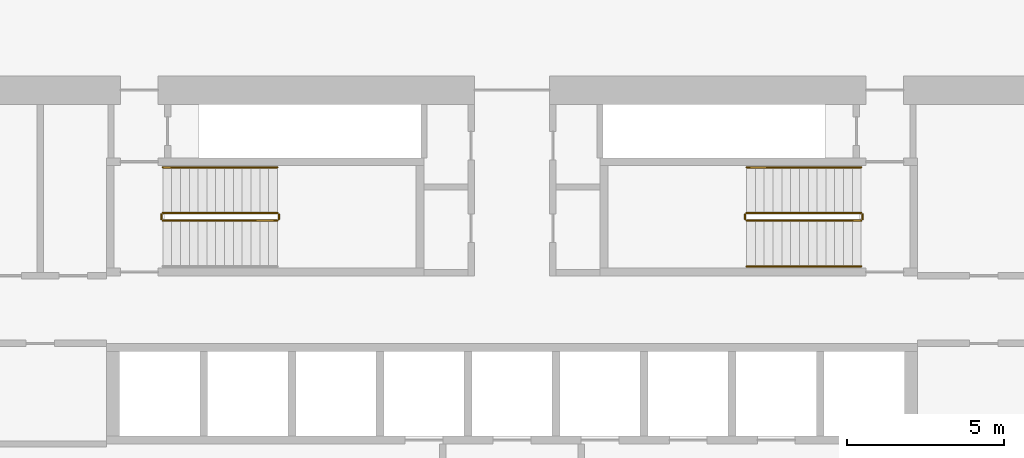
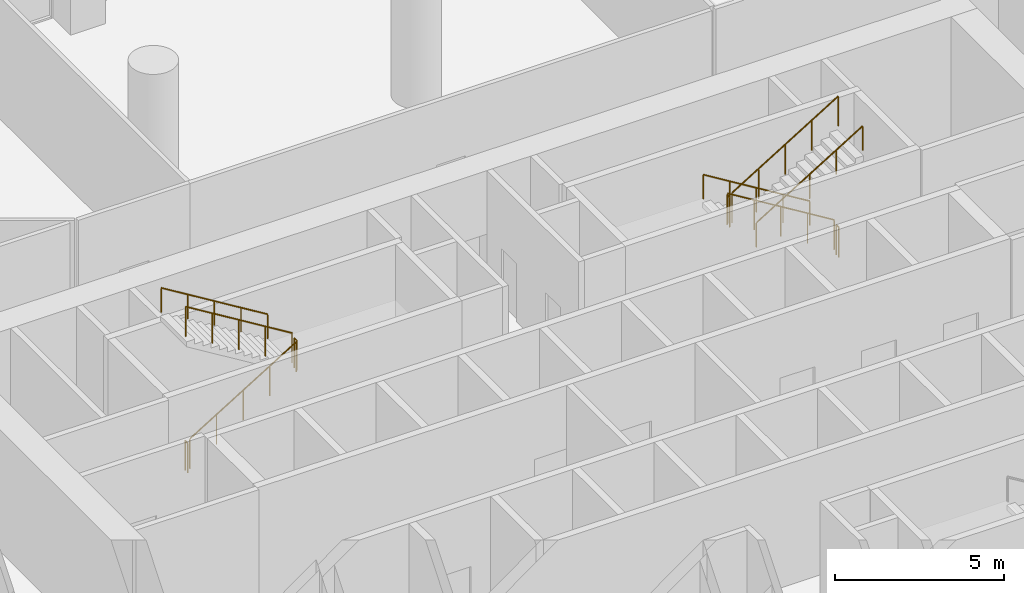
# One storey, part 19 of 21: 11 railings.
"""IFC4 building model written with IfcOpenShell, lengths in metres."""

from ifc_helpers import new_model, si_unit, direction, frame, origin, origin_2d, place, context, subcontext, project, spatial, circle, extrude, material, type_object, element, save


model = new_model("IFC4")

# Units and contexts
model_context = context("Model", 3, precision=1e-05, world=origin(), true_north=direction((0.0, 1.0)))
body_context = subcontext(model_context, "Body", "Model", "MODEL_VIEW")
ifc_project = project(units=[si_unit("LENGTHUNIT", "METRE"), si_unit("AREAUNIT", "SQUARE_METRE"), si_unit("VOLUMEUNIT", "CUBIC_METRE"), si_unit("PLANEANGLEUNIT", "RADIAN"), si_unit("MASSUNIT", "GRAM", prefix="KILO")], contexts=[model_context])

# Site, building, storey
site_placement = place(None, origin())
site = spatial("IfcSite", under=ifc_project, at=site_placement, CompositionType="ELEMENT")
building_placement = place(site_placement, origin())
building = spatial("IfcBuilding", under=site, at=building_placement, Name="Dhurran Vertical Campus", CompositionType="ELEMENT")
storey_placement = place(building_placement, frame((0.0, 0.0, 20.39990234375)))
storey = spatial("IfcBuildingStorey", under=building, at=storey_placement, Name="L04", CompositionType="ELEMENT", Elevation=20.39990234375)

# Railings
ifc_material_1 = material(Name="Stainless steel balustrade", Category="steel")
railing_type_1 = type_object("IfcRailingType", Name="co-RL-GUARD-1100", PredefinedType="GUARDRAIL", material=ifc_material_1)
railing_1_placement = place(storey_placement, frame((-11.10009765625, 8.89990234375, 0.171630859375)))
element("IfcRailing", 1, at=railing_1_placement, inside=storey, type_object=railing_type_1, Name="L04 ST1 stair guard 1", PredefinedType="GUARDRAIL", context=body_context, shape_type="SweptSolid", body=[
    extrude(circle(Radius=0.02392578125, at=origin_2d()), frame((0.0, 0.0, 1.076171875), z_axis=(0.852865859571, 0.0, 0.52213008492), x_axis=(0.0, 1.0, 0.0)), (0.0, 0.0, 1.0), 4.26806640625),
    extrude(circle(Radius=0.02099609375, at=origin_2d()), origin(), (0.0, 0.0, 1.0), 1.052001953125),
    extrude(circle(Radius=0.02099609375, at=origin_2d()), frame((0.91015625, 0.0, 0.55712890625)), (0.0, 0.0, 1.0), 1.052001953125),
    extrude(circle(Radius=0.02099609375, at=origin_2d()), frame((1.820068359375, 0.0, 1.1142578125)), (0.0, 0.0, 1.0), 1.052001953125),
    extrude(circle(Radius=0.02099609375, at=origin_2d()), frame((2.72998046875, 0.0, 1.67138671875)), (0.0, 0.0, 1.0), 1.052001953125),
    extrude(circle(Radius=0.02099609375, at=origin_2d()), frame((3.64013671875, 0.0, 2.228515625)), (0.0, 0.0, 1.0), 1.052001953125),
])
railing_2_placement = place(storey_placement, frame((-7.409912109375, 8.949951171875, 2.400146484375)))
element("IfcRailing", 2, at=railing_2_placement, inside=storey, type_object=railing_type_1, Name="L04 ST1 stair guard 2", PredefinedType="GUARDRAIL", context=body_context, shape_type="SweptSolid", body=[
    extrude(circle(Radius=0.02392578125, at=origin_2d()), frame((0.0, 0.0, 1.076171875), z_axis=(0.0, 1.0, 0.0), x_axis=(-1.0, 0.0, 0.0)), (0.0, 0.0, 1.0), 0.150146484375),
    extrude(circle(Radius=0.02099609375, at=origin_2d()), origin(), (0.0, 0.0, 1.0), 1.052001953125),
    extrude(circle(Radius=0.02099609375, at=origin_2d()), frame((0.0, 0.150146484375, 0.0)), (0.0, 0.0, 1.0), 1.052001953125),
])
railing_3_placement = place(storey_placement, frame((-7.4599609375, 9.14990234375, 2.571533203125)))
element("IfcRailing", 3, at=railing_3_placement, inside=storey, type_object=railing_type_1, Name="L04 ST1 stair guard 3", PredefinedType="GUARDRAIL", context=body_context, shape_type="SweptSolid", body=[
    extrude(circle(Radius=0.02392578125, at=origin_2d()), frame((0.0, 0.0, 1.076171875), z_axis=(-0.852865859571, 0.0, 0.52213008492), x_axis=(0.0, -1.0, 0.0)), (0.0, 0.0, 1.0), 4.26806640625),
    extrude(circle(Radius=0.02099609375, at=origin_2d()), origin(), (0.0, 0.0, 1.0), 1.052001953125),
    extrude(circle(Radius=0.02099609375, at=origin_2d()), frame((-0.91015625, 0.0, 0.55712890625)), (0.0, 0.0, 1.0), 1.052001953125),
    extrude(circle(Radius=0.02099609375, at=origin_2d()), frame((-1.820068359375, 0.0, 1.1142578125)), (0.0, 0.0, 1.0), 1.052001953125),
    extrude(circle(Radius=0.02099609375, at=origin_2d()), frame((-2.72998046875, 0.0, 1.67138671875)), (0.0, 0.0, 1.0), 1.052001953125),
    extrude(circle(Radius=0.02099609375, at=origin_2d()), frame((-3.64013671875, 0.0, 2.228515625)), (0.0, 0.0, 1.0), 1.052001953125),
])
railing_4_placement = place(storey_placement, frame((-11.14990234375, 8.949951171875, 0.0)))
element("IfcRailing", 4, at=railing_4_placement, inside=storey, type_object=railing_type_1, Name="L04 ST1 stair guard 4", PredefinedType="GUARDRAIL", context=body_context, shape_type="SweptSolid", body=[
    extrude(circle(Radius=0.02392578125, at=origin_2d()), frame((0.0, 0.0, 1.076171875), z_axis=(0.0, 1.0, 0.0), x_axis=(-1.0, 0.0, 0.0)), (0.0, 0.0, 1.0), 0.150146484375),
    extrude(circle(Radius=0.02099609375, at=origin_2d()), origin(), (0.0, 0.0, 1.0), 1.052001953125),
    extrude(circle(Radius=0.02099609375, at=origin_2d()), frame((0.0, 0.150146484375, 0.0)), (0.0, 0.0, 1.0), 1.052001953125),
])
railing_5_placement = place(storey_placement, frame((11.10009765625, 9.14990234375, 0.171630859375)))
element("IfcRailing", 5, at=railing_5_placement, inside=storey, type_object=railing_type_1, Name="L04 ST2 stair guard 1", PredefinedType="GUARDRAIL", context=body_context, shape_type="SweptSolid", body=[
    extrude(circle(Radius=0.02392578125, at=origin_2d()), frame((0.0, 0.0, 1.076171875), z_axis=(-0.852865859571, 0.0, 0.52213008492), x_axis=(0.0, -1.0, 0.0)), (0.0, 0.0, 1.0), 4.26806640625),
    extrude(circle(Radius=0.02099609375, at=origin_2d()), origin(), (0.0, 0.0, 1.0), 1.052001953125),
    extrude(circle(Radius=0.02099609375, at=origin_2d()), frame((-0.91015625, 0.0, 0.55712890625)), (0.0, 0.0, 1.0), 1.052001953125),
    extrude(circle(Radius=0.02099609375, at=origin_2d()), frame((-1.820068359375, 0.0, 1.1142578125)), (0.0, 0.0, 1.0), 1.052001953125),
    extrude(circle(Radius=0.02099609375, at=origin_2d()), frame((-2.72998046875, 0.0, 1.67138671875)), (0.0, 0.0, 1.0), 1.052001953125),
    extrude(circle(Radius=0.02099609375, at=origin_2d()), frame((-3.64013671875, 0.0, 2.228515625)), (0.0, 0.0, 1.0), 1.052001953125),
])
railing_6_placement = place(storey_placement, frame((7.409912109375, 9.10009765625, 2.400146484375)))
element("IfcRailing", 6, at=railing_6_placement, inside=storey, type_object=railing_type_1, Name="L04 ST2 stair guard 2", PredefinedType="GUARDRAIL", context=body_context, shape_type="SweptSolid", body=[
    extrude(circle(Radius=0.02392578125, at=origin_2d()), frame((0.0, 0.0, 1.076171875), z_axis=(0.0, -1.0, 0.0), x_axis=(1.0, 0.0, 0.0)), (0.0, 0.0, 1.0), 0.150146484375),
    extrude(circle(Radius=0.02099609375, at=origin_2d()), origin(), (0.0, 0.0, 1.0), 1.052001953125),
    extrude(circle(Radius=0.02099609375, at=origin_2d()), frame((0.0, -0.150146484375, 0.0)), (0.0, 0.0, 1.0), 1.052001953125),
])
railing_7_placement = place(storey_placement, frame((7.4599609375, 8.89990234375, 2.571533203125)))
element("IfcRailing", 7, at=railing_7_placement, inside=storey, type_object=railing_type_1, Name="L04 ST2 stair guard 3", PredefinedType="GUARDRAIL", context=body_context, shape_type="SweptSolid", body=[
    extrude(circle(Radius=0.02392578125, at=origin_2d()), frame((0.0, 0.0, 1.076171875), z_axis=(0.852865859571, 0.0, 0.52213008492), x_axis=(0.0, 1.0, 0.0)), (0.0, 0.0, 1.0), 4.26806640625),
    extrude(circle(Radius=0.02099609375, at=origin_2d()), origin(), (0.0, 0.0, 1.0), 1.052001953125),
    extrude(circle(Radius=0.02099609375, at=origin_2d()), frame((0.91015625, 0.0, 0.55712890625)), (0.0, 0.0, 1.0), 1.052001953125),
    extrude(circle(Radius=0.02099609375, at=origin_2d()), frame((1.820068359375, 0.0, 1.1142578125)), (0.0, 0.0, 1.0), 1.052001953125),
    extrude(circle(Radius=0.02099609375, at=origin_2d()), frame((2.72998046875, 0.0, 1.67138671875)), (0.0, 0.0, 1.0), 1.052001953125),
    extrude(circle(Radius=0.02099609375, at=origin_2d()), frame((3.64013671875, 0.0, 2.228515625)), (0.0, 0.0, 1.0), 1.052001953125),
])
railing_8_placement = place(storey_placement, frame((11.14990234375, 9.10009765625, 0.0)))
element("IfcRailing", 8, at=railing_8_placement, inside=storey, type_object=railing_type_1, Name="L04 ST2 stair guard 4", PredefinedType="GUARDRAIL", context=body_context, shape_type="SweptSolid", body=[
    extrude(circle(Radius=0.02392578125, at=origin_2d()), frame((0.0, 0.0, 1.076171875), z_axis=(0.0, -1.0, 0.0), x_axis=(1.0, 0.0, 0.0)), (0.0, 0.0, 1.0), 0.150146484375),
    extrude(circle(Radius=0.02099609375, at=origin_2d()), origin(), (0.0, 0.0, 1.0), 1.052001953125),
    extrude(circle(Radius=0.02099609375, at=origin_2d()), frame((0.0, -0.150146484375, 0.0)), (0.0, 0.0, 1.0), 1.052001953125),
])
ifc_material_2 = material(Name="Stainless steel handrail", Category="steel")
railing_type_2 = type_object("IfcRailingType", Name="co-RL-HANDRAIL-900", PredefinedType="HANDRAIL", material=ifc_material_2)
for number, where, name in (
    (9, (-7.4599609375, 10.60009765625, 2.571533203125), "L04 ST1 stair handrail 2"),
    (10, (11.10009765625, 10.60009765625, 0.171630859375), "L04 ST2 stair handrail 1"),
):
    element("IfcRailing", number, at=place(storey_placement, frame(where)), inside=storey, type_object=railing_type_2, Name=name, PredefinedType="HANDRAIL", context=body_context, shape_type="SweptSolid", body=[
        extrude(circle(Radius=0.02392578125, at=origin_2d()), frame((0.0, 0.0, 0.8759765625), z_axis=(-0.852865859571, 0.0, 0.52213008492), x_axis=(0.0, -1.0, 0.0)), (0.0, 0.0, 1.0), 4.26806640625),
        extrude(circle(Radius=0.02099609375, at=origin_2d()), origin(), (0.0, 0.0, 1.0), 0.851806640625),
        extrude(circle(Radius=0.02099609375, at=origin_2d()), frame((-0.91015625, 0.0, 0.55712890625)), (0.0, 0.0, 1.0), 0.851806640625),
        extrude(circle(Radius=0.02099609375, at=origin_2d()), frame((-1.820068359375, 0.0, 1.1142578125)), (0.0, 0.0, 1.0), 0.851806640625),
        extrude(circle(Radius=0.02099609375, at=origin_2d()), frame((-2.72998046875, 0.0, 1.67138671875)), (0.0, 0.0, 1.0), 0.851806640625),
        extrude(circle(Radius=0.02099609375, at=origin_2d()), frame((-3.64013671875, 0.0, 2.228515625)), (0.0, 0.0, 1.0), 0.851806640625),
    ])
railing_9_placement = place(storey_placement, frame((7.4599609375, 7.449951171875, 2.571533203125)))
element("IfcRailing", 11, at=railing_9_placement, inside=storey, type_object=railing_type_2, Name="L04 ST2 stair handrail 2", PredefinedType="HANDRAIL", context=body_context, shape_type="SweptSolid", body=[
    extrude(circle(Radius=0.02392578125, at=origin_2d()), frame((0.0, 0.0, 0.8759765625), z_axis=(0.852865859571, 0.0, 0.52213008492), x_axis=(0.0, 1.0, 0.0)), (0.0, 0.0, 1.0), 4.26806640625),
    extrude(circle(Radius=0.02099609375, at=origin_2d()), origin(), (0.0, 0.0, 1.0), 0.851806640625),
    extrude(circle(Radius=0.02099609375, at=origin_2d()), frame((0.91015625, 0.0, 0.55712890625)), (0.0, 0.0, 1.0), 0.851806640625),
    extrude(circle(Radius=0.02099609375, at=origin_2d()), frame((1.820068359375, 0.0, 1.1142578125)), (0.0, 0.0, 1.0), 0.851806640625),
    extrude(circle(Radius=0.02099609375, at=origin_2d()), frame((2.72998046875, 0.0, 1.67138671875)), (0.0, 0.0, 1.0), 0.851806640625),
    extrude(circle(Radius=0.02099609375, at=origin_2d()), frame((3.64013671875, 0.0, 2.228515625)), (0.0, 0.0, 1.0), 0.851806640625),
])

save(model, "model.ifc")
